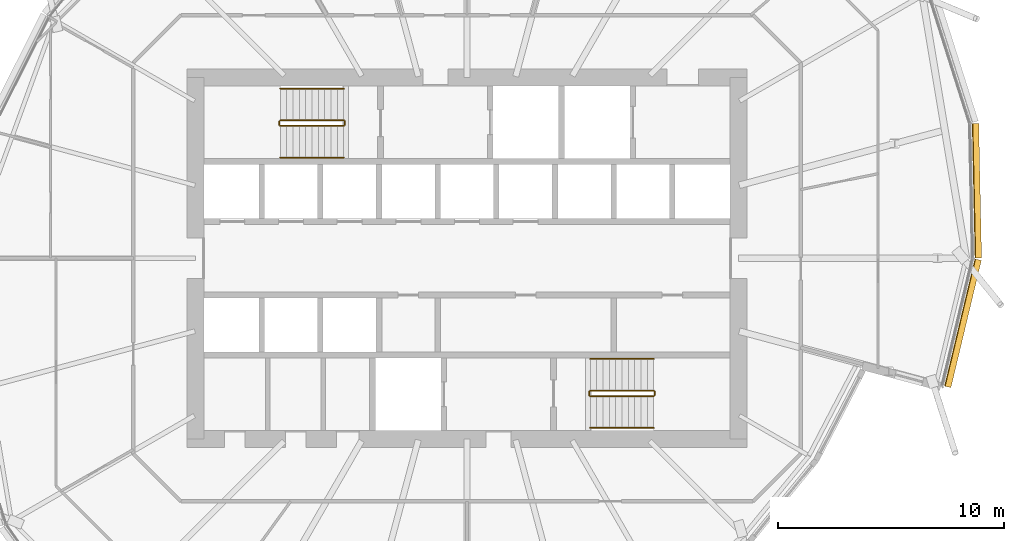
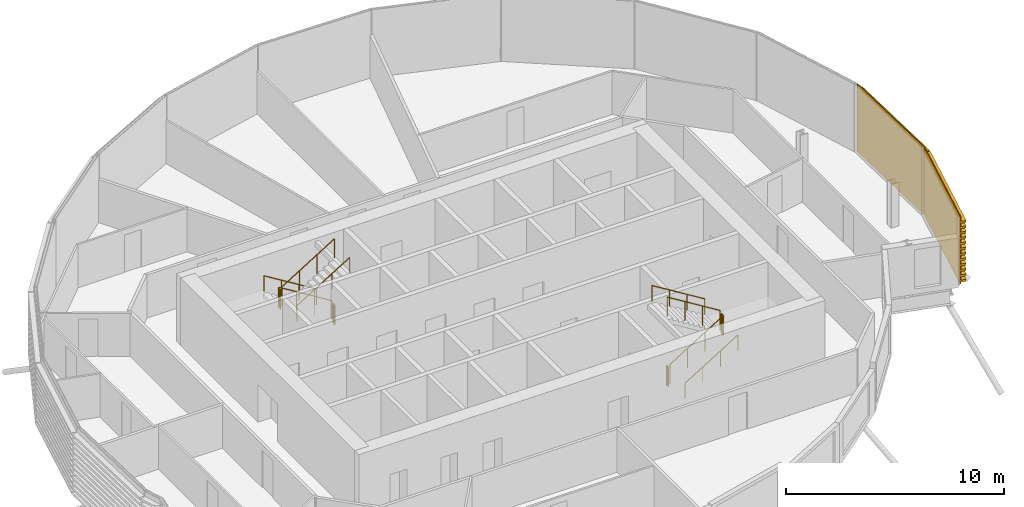
# One storey, part 39 of 40: 12 railings, 2 coverings.
"""IFC4 building model written with IfcOpenShell, lengths in metres."""

from ifc_helpers import new_model, si_unit, direction, frame, origin, origin_2d, place, context, subcontext, project, spatial, polyline, circle, outline, extrude, material, material_profile, profile_set, type_object, element, save


model = new_model("IFC4")

# Units and contexts
model_context = context("Model", 3, precision=1e-05, world=origin(), true_north=direction((0.0, 1.0)))
body_context = subcontext(model_context, "Body", "Model", "MODEL_VIEW")
ifc_project = project(units=[si_unit("LENGTHUNIT", "METRE"), si_unit("AREAUNIT", "SQUARE_METRE"), si_unit("VOLUMEUNIT", "CUBIC_METRE"), si_unit("PLANEANGLEUNIT", "RADIAN"), si_unit("MASSUNIT", "GRAM", prefix="KILO")], contexts=[model_context])

# Site, building, storey
site_placement = place(None, origin())
site = spatial("IfcSite", under=ifc_project, at=site_placement, CompositionType="ELEMENT")
building_placement = place(site_placement, origin())
building = spatial("IfcBuilding", under=site, at=building_placement, Name="Rimbun Link Towers", CompositionType="ELEMENT")
storey_placement = place(building_placement, frame((0.0, 0.0, 89.199951171875)))
storey = spatial("IfcBuildingStorey", under=building, at=storey_placement, Name="L21", CompositionType="ELEMENT", Elevation=89.199951171875)

# Railings
ifc_material_1 = material(Name="Stainless steel grade 316", Category="steel")
railing_type_1 = type_object("IfcRailingType", Name="Stair guard", PredefinedType="GUARDRAIL", material=ifc_material_1)
railing_1_placement = place(storey_placement, frame((26.300048828125, 6.10009765625, 0.1728515625)))
element("IfcRailing", 1, at=railing_1_placement, inside=storey, type_object=railing_type_1, Name="L21 ST3 stair guard 1", PredefinedType="GUARDRAIL", context=body_context, shape_type="SweptSolid", body=[
    extrude(circle(Radius=0.02392578125, at=origin_2d()), frame((0.0, 0.0, 1.076171875), z_axis=(-0.851089632645, 0.0, 0.525020415988), x_axis=(0.0, -1.0, 0.0)), (0.0, 0.0, 1.0), 3.2900390625),
    extrude(circle(Radius=0.02099609375, at=origin_2d()), origin(), (0.0, 0.0, 1.0), 1.052001953125),
    extrude(circle(Radius=0.02099609375, at=origin_2d()), frame((-0.933349609375, 0.0, 0.57568359375)), (0.0, 0.0, 1.0), 1.052001953125),
    extrude(circle(Radius=0.02099609375, at=origin_2d()), frame((-1.86669921875, 0.0, 1.151611328125)), (0.0, 0.0, 1.0), 1.052001953125),
    extrude(circle(Radius=0.02099609375, at=origin_2d()), frame((-2.800048828125, 0.0, 1.727294921875)), (0.0, 0.0, 1.0), 1.052001953125),
])
railing_2_placement = place(storey_placement, frame((23.449951171875, 6.050048828125, 1.900146484375)))
element("IfcRailing", 2, at=railing_2_placement, inside=storey, type_object=railing_type_1, Name="L21 ST3 stair guard 2", PredefinedType="GUARDRAIL", context=body_context, shape_type="SweptSolid", body=[
    extrude(circle(Radius=0.02392578125, at=origin_2d()), frame((0.0, 0.0, 1.076171875), z_axis=(0.0, -1.0, 0.0), x_axis=(1.0, 0.0, 0.0)), (0.0, 0.0, 1.0), 0.150146484375),
    extrude(circle(Radius=0.02099609375, at=origin_2d()), origin(), (0.0, 0.0, 1.0), 1.052001953125),
    extrude(circle(Radius=0.02099609375, at=origin_2d()), frame((0.0, -0.150146484375, 0.0)), (0.0, 0.0, 1.0), 1.052001953125),
])
railing_3_placement = place(storey_placement, frame((23.5, 5.85009765625, 2.07275390625)))
element("IfcRailing", 3, at=railing_3_placement, inside=storey, type_object=railing_type_1, Name="L21 ST3 stair guard 3", PredefinedType="GUARDRAIL", context=body_context, shape_type="SweptSolid", body=[
    extrude(circle(Radius=0.02392578125, at=origin_2d()), frame((0.0, 0.0, 1.076171875), z_axis=(0.851089632645, 0.0, 0.525020415988), x_axis=(0.0, 1.0, 0.0)), (0.0, 0.0, 1.0), 3.2900390625),
    extrude(circle(Radius=0.02099609375, at=origin_2d()), origin(), (0.0, 0.0, 1.0), 1.052001953125),
    extrude(circle(Radius=0.02099609375, at=origin_2d()), frame((0.933349609375, 0.0, 0.57568359375)), (0.0, 0.0, 1.0), 1.052001953125),
    extrude(circle(Radius=0.02099609375, at=origin_2d()), frame((1.86669921875, 0.0, 1.151611328125)), (0.0, 0.0, 1.0), 1.052001953125),
    extrude(circle(Radius=0.02099609375, at=origin_2d()), frame((2.800048828125, 0.0, 1.727294921875)), (0.0, 0.0, 1.0), 1.052001953125),
])
railing_4_placement = place(storey_placement, frame((26.35009765625, 6.050048828125, 0.0)))
element("IfcRailing", 4, at=railing_4_placement, inside=storey, type_object=railing_type_1, Name="L21 ST3 stair guard 4", PredefinedType="GUARDRAIL", context=body_context, shape_type="SweptSolid", body=[
    extrude(circle(Radius=0.02392578125, at=origin_2d()), frame((0.0, 0.0, 1.076171875), z_axis=(0.0, -1.0, 0.0), x_axis=(1.0, 0.0, 0.0)), (0.0, 0.0, 1.0), 0.150146484375),
    extrude(circle(Radius=0.02099609375, at=origin_2d()), origin(), (0.0, 0.0, 1.0), 1.052001953125),
    extrude(circle(Radius=0.02099609375, at=origin_2d()), frame((0.0, -0.150146484375, 0.0)), (0.0, 0.0, 1.0), 1.052001953125),
])
railing_5_placement = place(storey_placement, frame((37.199951171875, -6.10009765625, 0.1728515625)))
element("IfcRailing", 5, at=railing_5_placement, inside=storey, type_object=railing_type_1, Name="L21 ST4 stair guard 1", PredefinedType="GUARDRAIL", context=body_context, shape_type="SweptSolid", body=[
    extrude(circle(Radius=0.02392578125, at=origin_2d()), frame((0.0, 0.0, 1.076171875), z_axis=(0.851089632645, 0.0, 0.525020415988), x_axis=(0.0, 1.0, 0.0)), (0.0, 0.0, 1.0), 3.2900390625),
    extrude(circle(Radius=0.02099609375, at=origin_2d()), origin(), (0.0, 0.0, 1.0), 1.052001953125),
    extrude(circle(Radius=0.02099609375, at=origin_2d()), frame((0.933349609375, 0.0, 0.57568359375)), (0.0, 0.0, 1.0), 1.052001953125),
    extrude(circle(Radius=0.02099609375, at=origin_2d()), frame((1.86669921875, 0.0, 1.151611328125)), (0.0, 0.0, 1.0), 1.052001953125),
    extrude(circle(Radius=0.02099609375, at=origin_2d()), frame((2.800048828125, 0.0, 1.727294921875)), (0.0, 0.0, 1.0), 1.052001953125),
])
railing_6_placement = place(storey_placement, frame((40.050048828125, -6.050048828125, 1.900146484375)))
element("IfcRailing", 6, at=railing_6_placement, inside=storey, type_object=railing_type_1, Name="L21 ST4 stair guard 2", PredefinedType="GUARDRAIL", context=body_context, shape_type="SweptSolid", body=[
    extrude(circle(Radius=0.02392578125, at=origin_2d()), frame((0.0, 0.0, 1.076171875), z_axis=(0.0, 1.0, 0.0), x_axis=(-1.0, 0.0, 0.0)), (0.0, 0.0, 1.0), 0.150146484375),
    extrude(circle(Radius=0.02099609375, at=origin_2d()), origin(), (0.0, 0.0, 1.0), 1.052001953125),
    extrude(circle(Radius=0.02099609375, at=origin_2d()), frame((0.0, 0.150146484375, 0.0)), (0.0, 0.0, 1.0), 1.052001953125),
])
railing_7_placement = place(storey_placement, frame((40.0, -5.85009765625, 2.07275390625)))
element("IfcRailing", 7, at=railing_7_placement, inside=storey, type_object=railing_type_1, Name="L21 ST4 stair guard 3", PredefinedType="GUARDRAIL", context=body_context, shape_type="SweptSolid", body=[
    extrude(circle(Radius=0.02392578125, at=origin_2d()), frame((0.0, 0.0, 1.076171875), z_axis=(-0.851089632645, 0.0, 0.525020415988), x_axis=(0.0, -1.0, 0.0)), (0.0, 0.0, 1.0), 3.2900390625),
    extrude(circle(Radius=0.02099609375, at=origin_2d()), origin(), (0.0, 0.0, 1.0), 1.052001953125),
    extrude(circle(Radius=0.02099609375, at=origin_2d()), frame((-0.933349609375, 0.0, 0.57568359375)), (0.0, 0.0, 1.0), 1.052001953125),
    extrude(circle(Radius=0.02099609375, at=origin_2d()), frame((-1.86669921875, 0.0, 1.151611328125)), (0.0, 0.0, 1.0), 1.052001953125),
    extrude(circle(Radius=0.02099609375, at=origin_2d()), frame((-2.800048828125, 0.0, 1.727294921875)), (0.0, 0.0, 1.0), 1.052001953125),
])
railing_8_placement = place(storey_placement, frame((37.14990234375, -6.050048828125, 0.0)))
element("IfcRailing", 8, at=railing_8_placement, inside=storey, type_object=railing_type_1, Name="L21 ST4 stair guard 4", PredefinedType="GUARDRAIL", context=body_context, shape_type="SweptSolid", body=[
    extrude(circle(Radius=0.02392578125, at=origin_2d()), frame((0.0, 0.0, 1.076171875), z_axis=(0.0, 1.0, 0.0), x_axis=(-1.0, 0.0, 0.0)), (0.0, 0.0, 1.0), 0.150146484375),
    extrude(circle(Radius=0.02099609375, at=origin_2d()), origin(), (0.0, 0.0, 1.0), 1.052001953125),
    extrude(circle(Radius=0.02099609375, at=origin_2d()), frame((0.0, 0.150146484375, 0.0)), (0.0, 0.0, 1.0), 1.052001953125),
])
ifc_material_2 = material(Name="Stainless steel grade 316", Category="steel")
railing_type_2 = type_object("IfcRailingType", Name="Stair handrail", PredefinedType="HANDRAIL", material=ifc_material_2)
railing_9_placement = place(storey_placement, frame((26.300048828125, 7.5, 0.1728515625)))
element("IfcRailing", 9, at=railing_9_placement, inside=storey, type_object=railing_type_2, Name="L21 ST3 stair handrail 1", PredefinedType="HANDRAIL", context=body_context, shape_type="SweptSolid", body=[
    extrude(circle(Radius=0.02392578125, at=origin_2d()), frame((0.0, 0.0, 0.8759765625), z_axis=(-0.851089632645, 0.0, 0.525020415988), x_axis=(0.0, -1.0, 0.0)), (0.0, 0.0, 1.0), 3.2900390625),
    extrude(circle(Radius=0.02099609375, at=origin_2d()), origin(), (0.0, 0.0, 1.0), 0.851806640625),
    extrude(circle(Radius=0.02099609375, at=origin_2d()), frame((-0.933349609375, 0.0, 0.57568359375)), (0.0, 0.0, 1.0), 0.851806640625),
    extrude(circle(Radius=0.02099609375, at=origin_2d()), frame((-1.86669921875, 0.0, 1.151611328125)), (0.0, 0.0, 1.0), 0.851806640625),
    extrude(circle(Radius=0.02099609375, at=origin_2d()), frame((-2.800048828125, 0.0, 1.727294921875)), (0.0, 0.0, 1.0), 0.851806640625),
])
for number, where, name in (
    (10, (23.5, 4.449951171875, 2.07275390625), "L21 ST3 stair handrail 2"),
    (11, (37.199951171875, -7.5, 0.1728515625), "L21 ST4 stair handrail 1"),
):
    element("IfcRailing", number, at=place(storey_placement, frame(where)), inside=storey, type_object=railing_type_2, Name=name, PredefinedType="HANDRAIL", context=body_context, shape_type="SweptSolid", body=[
        extrude(circle(Radius=0.02392578125, at=origin_2d()), frame((0.0, 0.0, 0.8759765625), z_axis=(0.851089632645, 0.0, 0.525020415988), x_axis=(0.0, 1.0, 0.0)), (0.0, 0.0, 1.0), 3.2900390625),
        extrude(circle(Radius=0.02099609375, at=origin_2d()), origin(), (0.0, 0.0, 1.0), 0.851806640625),
        extrude(circle(Radius=0.02099609375, at=origin_2d()), frame((0.933349609375, 0.0, 0.57568359375)), (0.0, 0.0, 1.0), 0.851806640625),
        extrude(circle(Radius=0.02099609375, at=origin_2d()), frame((1.86669921875, 0.0, 1.151611328125)), (0.0, 0.0, 1.0), 0.851806640625),
        extrude(circle(Radius=0.02099609375, at=origin_2d()), frame((2.800048828125, 0.0, 1.727294921875)), (0.0, 0.0, 1.0), 0.851806640625),
    ])
railing_10_placement = place(storey_placement, frame((40.0, -4.449951171875, 2.07275390625)))
element("IfcRailing", 12, at=railing_10_placement, inside=storey, type_object=railing_type_2, Name="L21 ST4 stair handrail 2", PredefinedType="HANDRAIL", context=body_context, shape_type="SweptSolid", body=[
    extrude(circle(Radius=0.02392578125, at=origin_2d()), frame((0.0, 0.0, 0.8759765625), z_axis=(-0.851089632645, 0.0, 0.525020415988), x_axis=(0.0, -1.0, 0.0)), (0.0, 0.0, 1.0), 3.2900390625),
    extrude(circle(Radius=0.02099609375, at=origin_2d()), origin(), (0.0, 0.0, 1.0), 0.851806640625),
    extrude(circle(Radius=0.02099609375, at=origin_2d()), frame((-0.933349609375, 0.0, 0.57568359375)), (0.0, 0.0, 1.0), 0.851806640625),
    extrude(circle(Radius=0.02099609375, at=origin_2d()), frame((-1.86669921875, 0.0, 1.151611328125)), (0.0, 0.0, 1.0), 0.851806640625),
    extrude(circle(Radius=0.02099609375, at=origin_2d()), frame((-2.800048828125, 0.0, 1.727294921875)), (0.0, 0.0, 1.0), 0.851806640625),
])

# Coverings
ifc_material_3 = material(Name="Terracotta", Category="masonry")
ifc_material_profile = material_profile(ifc_material_3, outline(polyline([(0.123046875, 0.0), (0.1630859375, 0.0), (0.1630859375, 0.10009765625), (0.423095703125, 0.10009765625), (0.423095703125, 0.219970703125), (0.1630859375, 0.219970703125), (0.1630859375, 0.39990234375), (0.423095703125, 0.39990234375), (0.423095703125, 0.52001953125), (0.1630859375, 0.52001953125), (0.1630859375, 0.699951171875), (0.423095703125, 0.699951171875), (0.423095703125, 0.820068359375), (0.1630859375, 0.820068359375), (0.1630859375, 1.0), (0.423095703125, 1.0), (0.423095703125, 1.1201171875), (0.1630859375, 1.1201171875), (0.1630859375, 1.300048828125), (0.423095703125, 1.300048828125), (0.423095703125, 1.419921875), (0.1630859375, 1.419921875), (0.1630859375, 1.60009765625), (0.423095703125, 1.60009765625), (0.423095703125, 1.719970703125), (0.1630859375, 1.719970703125), (0.1630859375, 1.89990234375), (0.423095703125, 1.89990234375), (0.423095703125, 2.02001953125), (0.1630859375, 2.02001953125), (0.1630859375, 2.199951171875), (0.423095703125, 2.199951171875), (0.423095703125, 2.320068359375), (0.1630859375, 2.320068359375), (0.1630859375, 2.5), (0.423095703125, 2.5), (0.423095703125, 2.6201171875), (0.1630859375, 2.6201171875), (0.1630859375, 2.800048828125), (0.423095703125, 2.800048828125), (0.423095703125, 2.919921875), (0.1630859375, 2.919921875), (0.1630859375, 3.10009765625), (0.423095703125, 3.10009765625), (0.423095703125, 3.219970703125), (0.1630859375, 3.219970703125), (0.1630859375, 3.39990234375), (0.423095703125, 3.39990234375), (0.423095703125, 3.52001953125), (0.1630859375, 3.52001953125), (0.1630859375, 3.800048828125), (0.123046875, 3.800048828125), (0.123046875, 0.0)])), Name="BAGUETTE 120X300")
ifc_profile_set = profile_set([ifc_material_profile], Name="Terracotta")
covering_type = type_object("IfcCoveringType", Name="TERRACOTTA BAGUETTE 120X300 H3800", PredefinedType="CLADDING", material=ifc_profile_set)
covering_1_placement = place(storey_placement, frame((54.078369140625, 0.0, 0.0), z_axis=(-0.232606212243, -0.972570999992, 0.0), x_axis=(0.972570999992, -0.232606212243, 0.0)))
element("IfcCovering", 13, at=covering_1_placement, inside=storey, type_object=covering_type, Name="TERRACOTTA BAGUETTE", PredefinedType="CLADDING", context=body_context, shape_type="SweptSolid", body=[
    extrude(outline(polyline([(0.123046875, 0.0), (0.1630859375, 0.0), (0.1630859375, 0.10009765625), (0.423095703125, 0.10009765625), (0.423095703125, 0.219970703125), (0.1630859375, 0.219970703125), (0.1630859375, 0.39990234375), (0.423095703125, 0.39990234375), (0.423095703125, 0.52001953125), (0.1630859375, 0.52001953125), (0.1630859375, 0.699951171875), (0.423095703125, 0.699951171875), (0.423095703125, 0.820068359375), (0.1630859375, 0.820068359375), (0.1630859375, 1.0), (0.423095703125, 1.0), (0.423095703125, 1.1201171875), (0.1630859375, 1.1201171875), (0.1630859375, 1.300048828125), (0.423095703125, 1.300048828125), (0.423095703125, 1.419921875), (0.1630859375, 1.419921875), (0.1630859375, 1.60009765625), (0.423095703125, 1.60009765625), (0.423095703125, 1.719970703125), (0.1630859375, 1.719970703125), (0.1630859375, 1.89990234375), (0.423095703125, 1.89990234375), (0.423095703125, 2.02001953125), (0.1630859375, 2.02001953125), (0.1630859375, 2.199951171875), (0.423095703125, 2.199951171875), (0.423095703125, 2.320068359375), (0.1630859375, 2.320068359375), (0.1630859375, 2.5), (0.423095703125, 2.5), (0.423095703125, 2.6201171875), (0.1630859375, 2.6201171875), (0.1630859375, 2.800048828125), (0.423095703125, 2.800048828125), (0.423095703125, 2.919921875), (0.1630859375, 2.919921875), (0.1630859375, 3.10009765625), (0.423095703125, 3.10009765625), (0.423095703125, 3.219970703125), (0.1630859375, 3.219970703125), (0.1630859375, 3.39990234375), (0.423095703125, 3.39990234375), (0.423095703125, 3.52001953125), (0.1630859375, 3.52001953125), (0.1630859375, 3.800048828125), (0.123046875, 3.800048828125), (0.123046875, 0.0)])), origin(), (0.0, 0.0, 1.0), 5.78125),
])
covering_2_placement = place(storey_placement, frame((53.952880859375, 5.94921875, 0.0), z_axis=(0.021088546147, -0.999777611882, 0.0), x_axis=(0.999777611882, 0.021088546147, 0.0)))
element("IfcCovering", 14, at=covering_2_placement, inside=storey, type_object=covering_type, Name="TERRACOTTA BAGUETTE", PredefinedType="CLADDING", context=body_context, shape_type="SweptSolid", body=[
    extrude(outline(polyline([(0.123046875, 0.0), (0.1630859375, 0.0), (0.1630859375, 0.10009765625), (0.423095703125, 0.10009765625), (0.423095703125, 0.219970703125), (0.1630859375, 0.219970703125), (0.1630859375, 0.39990234375), (0.423095703125, 0.39990234375), (0.423095703125, 0.52001953125), (0.1630859375, 0.52001953125), (0.1630859375, 0.699951171875), (0.423095703125, 0.699951171875), (0.423095703125, 0.820068359375), (0.1630859375, 0.820068359375), (0.1630859375, 1.0), (0.423095703125, 1.0), (0.423095703125, 1.1201171875), (0.1630859375, 1.1201171875), (0.1630859375, 1.300048828125), (0.423095703125, 1.300048828125), (0.423095703125, 1.419921875), (0.1630859375, 1.419921875), (0.1630859375, 1.60009765625), (0.423095703125, 1.60009765625), (0.423095703125, 1.719970703125), (0.1630859375, 1.719970703125), (0.1630859375, 1.89990234375), (0.423095703125, 1.89990234375), (0.423095703125, 2.02001953125), (0.1630859375, 2.02001953125), (0.1630859375, 2.199951171875), (0.423095703125, 2.199951171875), (0.423095703125, 2.320068359375), (0.1630859375, 2.320068359375), (0.1630859375, 2.5), (0.423095703125, 2.5), (0.423095703125, 2.6201171875), (0.1630859375, 2.6201171875), (0.1630859375, 2.800048828125), (0.423095703125, 2.800048828125), (0.423095703125, 2.919921875), (0.1630859375, 2.919921875), (0.1630859375, 3.10009765625), (0.423095703125, 3.10009765625), (0.423095703125, 3.219970703125), (0.1630859375, 3.219970703125), (0.1630859375, 3.39990234375), (0.423095703125, 3.39990234375), (0.423095703125, 3.52001953125), (0.1630859375, 3.52001953125), (0.1630859375, 3.800048828125), (0.123046875, 3.800048828125), (0.123046875, 0.0)])), origin(), (0.0, 0.0, 1.0), 5.950439453125),
])

save(model, "model.ifc")
